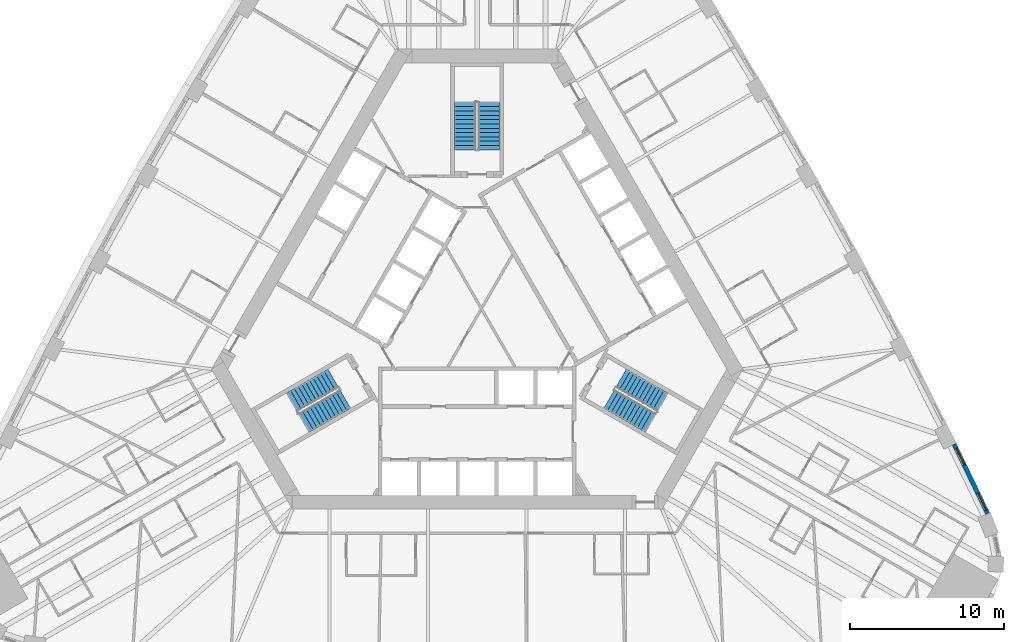
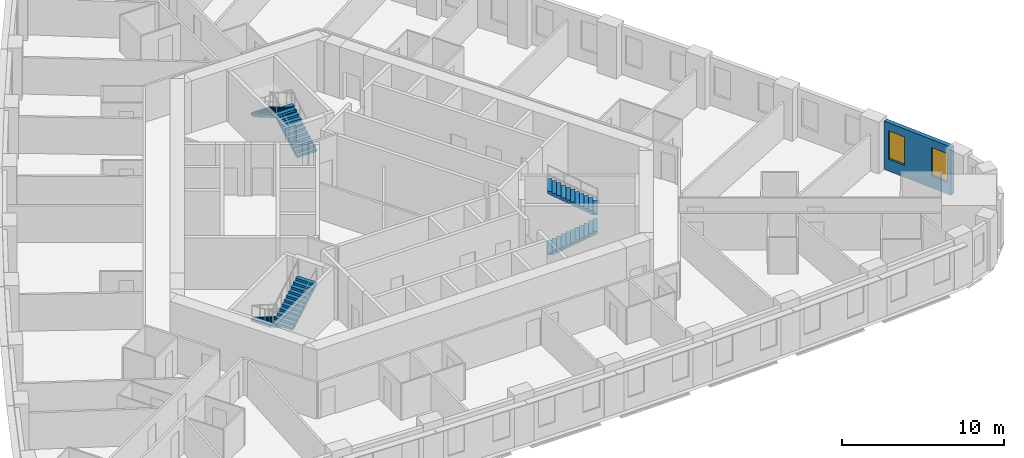
# One storey, part 12 of 13: 6 stair flights, 2 windows, 1 wall, 2 openings, 3 elements without a shape of their own.
"""IFC4 building model written with IfcOpenShell, lengths in metres."""

from ifc_helpers import new_model, si_unit, direction, frame, frame_2d, origin, place, context, subcontext, project, spatial, polyline, rectangle, outline, extrude, material, layer, layer_set, type_object, element, fill, aggregate, save


model = new_model("IFC4")

# Units and contexts
model_context = context("Model", 3, precision=1e-05, world=origin(), true_north=direction((0.0, 1.0)))
body_context = subcontext(model_context, "Body", "Model", "MODEL_VIEW")
ifc_project = project(units=[si_unit("LENGTHUNIT", "METRE"), si_unit("AREAUNIT", "SQUARE_METRE"), si_unit("VOLUMEUNIT", "CUBIC_METRE"), si_unit("PLANEANGLEUNIT", "RADIAN"), si_unit("MASSUNIT", "GRAM", prefix="KILO")], contexts=[model_context])

# Site, building, storey
site_placement = place(None, origin())
site = spatial("IfcSite", under=ifc_project, at=site_placement, CompositionType="ELEMENT")
building_placement = place(site_placement, origin())
building = spatial("IfcBuilding", under=site, at=building_placement, Name="Mestral Congress Tower", CompositionType="ELEMENT")
storey_placement = place(building_placement, frame((0.0, 0.0, 51.0)))
storey = spatial("IfcBuildingStorey", under=building, at=storey_placement, Name="L11", CompositionType="ELEMENT", Elevation=51.0)

# Wall, openings, windows
ifc_material_1 = material(Name="Precast concrete C40/50 with limestone facing", Category="masonry")
ifc_layer = layer(ifc_material_1, 0.2900390625)
ifc_layer_set = layer_set([ifc_layer], Name="Precast concrete C40/50 with limestone facing")
wall_type = type_object("IfcWallType", Name="Facade stone wall 290", PredefinedType="SOLIDWALL", material=ifc_layer_set)
wall_placement = place(storey_placement, frame((33.176025390625, -13.290283203125, 0.0), z_axis=(0.0, 0.0, 1.0), x_axis=(-0.434664499056, 0.900592456808, 0.0)))
wall = element("IfcWall", 1, at=wall_placement, inside=storey, type_object=wall_type, Name="Facade wall F1-00", PredefinedType="SOLIDWALL", context=body_context, shape_type="SweptSolid", body=[
    extrude(rectangle(XDim=5.005615234375, YDim=0.2900390625, at=frame_2d((2.5029296875, 0.0))), origin(), (0.0, 0.0, 1.0), 3.64990234375),
])
opening_1_placement = place(wall_placement, frame((0.265380859375, 0.0, 0.89990234375)))
opening_1 = element("IfcOpeningElement", 2, at=opening_1_placement, cuts=wall, Name="Opening W1", PredefinedType="OPENING", context=body_context, shape_type="SweptSolid", body=[
    extrude(rectangle(XDim=1.199951171875, YDim=2.14990234375, at=frame_2d((0.60009765625, 1.074951171875))), frame((0.0, 0.155029296875, 0.0), z_axis=(0.0, -1.0, 0.0), x_axis=(1.0, 0.0, 0.0)), (0.0, 0.0, 1.0), 0.31005859375),
])
opening_2_placement = place(wall_placement, frame((3.49560546875, 0.0, 0.89990234375)))
opening_2 = element("IfcOpeningElement", 3, at=opening_2_placement, cuts=wall, Name="Opening W1", PredefinedType="OPENING", context=body_context, shape_type="SweptSolid", body=[
    extrude(rectangle(XDim=1.199951171875, YDim=2.14990234375, at=frame_2d((0.60009765625, 1.074951171875))), frame((0.0, 0.155029296875, 0.0), z_axis=(0.0, -1.0, 0.0), x_axis=(1.0, 0.0, 0.0)), (0.0, 0.0, 1.0), 0.31005859375),
])
ifc_material_2 = material(Name="Clear low-emissivity double glazing", Category="glass")
window_type = type_object("IfcWindowType", Name="Facade punched window 1200 x 2150 sill 900", PartitioningType="DOUBLE_PANEL_VERTICAL", PredefinedType="WINDOW", material=ifc_material_2)
window_1_placement = place(opening_1_placement, origin())
window_1 = element("IfcWindow", 4, at=window_1_placement, inside=storey, type_object=window_type, Name="Window F1-00a", OverallHeight=2.14990234375, OverallWidth=1.199951171875, PartitioningType="DOUBLE_PANEL_VERTICAL", PredefinedType="WINDOW", context=body_context, shape_type="SweptSolid", body=[
    extrude(rectangle(XDim=1.199951171875, YDim=2.14990234375, at=frame_2d((0.60009765625, 1.074951171875))), frame((0.0, 0.01513671875, 0.0), z_axis=(0.0, -1.0, 0.0), x_axis=(1.0, 0.0, 0.0)), (0.0, 0.0, 1.0), 0.06005859375),
])
fill(opening_1, window_1)
window_2_placement = place(opening_2_placement, origin())
window_2 = element("IfcWindow", 5, at=window_2_placement, inside=storey, type_object=window_type, Name="Window F1-00b", OverallHeight=2.14990234375, OverallWidth=1.199951171875, PartitioningType="DOUBLE_PANEL_VERTICAL", PredefinedType="WINDOW", context=body_context, shape_type="SweptSolid", body=[
    extrude(rectangle(XDim=1.199951171875, YDim=2.14990234375, at=frame_2d((0.60009765625, 1.074951171875))), frame((0.0, 0.01513671875, 0.0), z_axis=(0.0, -1.0, 0.0), x_axis=(1.0, 0.0, 0.0)), (0.0, 0.0, 1.0), 0.06005859375),
])
fill(opening_2, window_2)

# Stair, stair flights
ifc_material_3 = material(Name="Concrete C60/75", Category="concrete")
stair_type = type_object("IfcStairType", Name="Exit stair 1400", PredefinedType="HALF_TURN_STAIR", material=ifc_material_3)
placement = place(storey_placement, origin())
stair_1 = element("IfcStair", 6, at=placement, inside=storey, type_object=stair_type, Name="L11 ST1", PredefinedType="HALF_TURN_STAIR")
stair_flight_type = type_object("IfcStairFlightType", Name="Exit stair flight 1400", PredefinedType="STRAIGHT", material=ifc_material_3)
stair_flight_1_placement = place(storey_placement, frame((8.575927734375, -5.84619140625, 0.0), z_axis=(0.0, 0.0, 1.0), x_axis=(0.866025403784, -0.5, 0.0)))
stair_flight_1 = element("IfcStairFlight", 7, at=stair_flight_1_placement, type_object=stair_flight_type, Name="ST1 flight 1", NumberOfRisers=12, NumberOfTreads=11, PredefinedType="STRAIGHT", RiserHeight=0.1625, TreadLength=0.28, context=body_context, shape_type="SweptSolid", body=[
    extrude(outline(polyline([(0.0, 0.0), (0.0, 0.16259765625), (0.280029296875, 0.16259765625), (0.280029296875, 0.324951171875), (0.56005859375, 0.324951171875), (0.56005859375, 0.487548828125), (0.840087890625, 0.487548828125), (0.840087890625, 0.64990234375), (1.1201171875, 0.64990234375), (1.1201171875, 0.8125), (1.39990234375, 0.8125), (1.39990234375, 0.97509765625), (1.679931640625, 0.97509765625), (1.679931640625, 1.137451171875), (1.9599609375, 1.137451171875), (1.9599609375, 1.300048828125), (2.239990234375, 1.300048828125), (2.239990234375, 1.46240234375), (2.52001953125, 1.46240234375), (2.52001953125, 1.625), (2.800048828125, 1.625), (2.800048828125, 1.78759765625), (3.080078125, 1.78759765625), (3.080078125, 1.949951171875), (3.080078125, 1.6142578125), (0.298583984375, 0.0), (0.0, 0.0)])), frame((0.0, 0.699951171875, 0.0), z_axis=(0.0, -1.0, 0.0), x_axis=(1.0, 0.0, 0.0)), (0.0, 0.0, 1.0), 1.39990234375),
])
stair_flight_2_placement = place(storey_placement, frame((12.018310546875, -6.0439453125, 1.949951171875), z_axis=(0.0, 0.0, 1.0), x_axis=(-0.866025403784, 0.5, 0.0)))
stair_flight_2 = element("IfcStairFlight", 8, at=stair_flight_2_placement, type_object=stair_flight_type, Name="ST1 flight 2", NumberOfRisers=12, NumberOfTreads=11, PredefinedType="STRAIGHT", RiserHeight=0.1625, TreadLength=0.28, context=body_context, shape_type="SweptSolid", body=[
    extrude(outline(polyline([(0.0, 0.0), (0.0, 0.16259765625), (0.280029296875, 0.16259765625), (0.280029296875, 0.324951171875), (0.56005859375, 0.324951171875), (0.56005859375, 0.487548828125), (0.840087890625, 0.487548828125), (0.840087890625, 0.64990234375), (1.1201171875, 0.64990234375), (1.1201171875, 0.8125), (1.39990234375, 0.8125), (1.39990234375, 0.97509765625), (1.679931640625, 0.97509765625), (1.679931640625, 1.137451171875), (1.9599609375, 1.137451171875), (1.9599609375, 1.300048828125), (2.239990234375, 1.300048828125), (2.239990234375, 1.46240234375), (2.52001953125, 1.46240234375), (2.52001953125, 1.625), (2.800048828125, 1.625), (2.800048828125, 1.78759765625), (3.080078125, 1.78759765625), (3.080078125, 1.949951171875), (3.080078125, 1.6142578125), (0.298583984375, 0.0), (0.0, 0.0)])), frame((0.0, 0.699951171875, 0.0), z_axis=(0.0, -1.0, 0.0), x_axis=(1.0, 0.0, 0.0)), (0.0, 0.0, 1.0), 1.39990234375),
])
aggregate(stair_1, [stair_flight_1, stair_flight_2])

stair_2 = element("IfcStair", 9, at=placement, inside=storey, type_object=stair_type, Name="L11 ST2", PredefinedType="HALF_TURN_STAIR")
stair_flight_3_placement = place(storey_placement, frame((0.77490234375, 10.35009765625, 0.0), z_axis=(0.0, 0.0, 1.0), x_axis=(0.0, 1.0, 0.0)))
stair_flight_3 = element("IfcStairFlight", 10, at=stair_flight_3_placement, type_object=stair_flight_type, Name="ST2 flight 1", NumberOfRisers=12, NumberOfTreads=11, PredefinedType="STRAIGHT", RiserHeight=0.1625, TreadLength=0.28, context=body_context, shape_type="SweptSolid", body=[
    extrude(outline(polyline([(0.0, 0.0), (0.0, 0.16259765625), (0.280029296875, 0.16259765625), (0.280029296875, 0.324951171875), (0.56005859375, 0.324951171875), (0.56005859375, 0.487548828125), (0.840087890625, 0.487548828125), (0.840087890625, 0.64990234375), (1.1201171875, 0.64990234375), (1.1201171875, 0.8125), (1.39990234375, 0.8125), (1.39990234375, 0.97509765625), (1.679931640625, 0.97509765625), (1.679931640625, 1.137451171875), (1.9599609375, 1.137451171875), (1.9599609375, 1.300048828125), (2.239990234375, 1.300048828125), (2.239990234375, 1.46240234375), (2.52001953125, 1.46240234375), (2.52001953125, 1.625), (2.800048828125, 1.625), (2.800048828125, 1.78759765625), (3.080078125, 1.78759765625), (3.080078125, 1.949951171875), (3.080078125, 1.6142578125), (0.298583984375, 0.0), (0.0, 0.0)])), frame((0.0, 0.699951171875, 0.0), z_axis=(0.0, -1.0, 0.0), x_axis=(1.0, 0.0, 0.0)), (0.0, 0.0, 1.0), 1.39990234375),
])
stair_flight_4_placement = place(storey_placement, frame((-0.77490234375, 13.429931640625, 1.949951171875), z_axis=(0.0, 0.0, 1.0), x_axis=(0.0, -1.0, 0.0)))
stair_flight_4 = element("IfcStairFlight", 11, at=stair_flight_4_placement, type_object=stair_flight_type, Name="ST2 flight 2", NumberOfRisers=12, NumberOfTreads=11, PredefinedType="STRAIGHT", RiserHeight=0.1625, TreadLength=0.28, context=body_context, shape_type="SweptSolid", body=[
    extrude(outline(polyline([(0.0, 0.0), (0.0, 0.16259765625), (0.280029296875, 0.16259765625), (0.280029296875, 0.324951171875), (0.56005859375, 0.324951171875), (0.56005859375, 0.487548828125), (0.840087890625, 0.487548828125), (0.840087890625, 0.64990234375), (1.1201171875, 0.64990234375), (1.1201171875, 0.8125), (1.39990234375, 0.8125), (1.39990234375, 0.97509765625), (1.679931640625, 0.97509765625), (1.679931640625, 1.137451171875), (1.9599609375, 1.137451171875), (1.9599609375, 1.300048828125), (2.239990234375, 1.300048828125), (2.239990234375, 1.46240234375), (2.52001953125, 1.46240234375), (2.52001953125, 1.625), (2.800048828125, 1.625), (2.800048828125, 1.78759765625), (3.080078125, 1.78759765625), (3.080078125, 1.949951171875), (3.080078125, 1.6142578125), (0.298583984375, 0.0), (0.0, 0.0)])), frame((0.0, 0.699951171875, 0.0), z_axis=(0.0, -1.0, 0.0), x_axis=(1.0, 0.0, 0.0)), (0.0, 0.0, 1.0), 1.39990234375),
])
aggregate(stair_2, [stair_flight_3, stair_flight_4])

stair_3 = element("IfcStair", 12, at=placement, inside=storey, type_object=stair_type, Name="L11 ST3", PredefinedType="HALF_TURN_STAIR")
stair_flight_5_placement = place(storey_placement, frame((-9.350830078125, -4.50390625, 0.0), z_axis=(0.0, 0.0, 1.0), x_axis=(-0.866025403784, -0.5, 0.0)))
stair_flight_5 = element("IfcStairFlight", 13, at=stair_flight_5_placement, type_object=stair_flight_type, Name="ST3 flight 1", NumberOfRisers=12, NumberOfTreads=11, PredefinedType="STRAIGHT", RiserHeight=0.1625, TreadLength=0.28, context=body_context, shape_type="SweptSolid", body=[
    extrude(outline(polyline([(0.0, 0.0), (0.0, 0.16259765625), (0.280029296875, 0.16259765625), (0.280029296875, 0.324951171875), (0.56005859375, 0.324951171875), (0.56005859375, 0.487548828125), (0.840087890625, 0.487548828125), (0.840087890625, 0.64990234375), (1.1201171875, 0.64990234375), (1.1201171875, 0.8125), (1.39990234375, 0.8125), (1.39990234375, 0.97509765625), (1.679931640625, 0.97509765625), (1.679931640625, 1.137451171875), (1.9599609375, 1.137451171875), (1.9599609375, 1.300048828125), (2.239990234375, 1.300048828125), (2.239990234375, 1.46240234375), (2.52001953125, 1.46240234375), (2.52001953125, 1.625), (2.800048828125, 1.625), (2.800048828125, 1.78759765625), (3.080078125, 1.78759765625), (3.080078125, 1.949951171875), (3.080078125, 1.6142578125), (0.298583984375, 0.0), (0.0, 0.0)])), frame((0.0, 0.699951171875, 0.0), z_axis=(0.0, -1.0, 0.0), x_axis=(1.0, 0.0, 0.0)), (0.0, 0.0, 1.0), 1.39990234375),
])
stair_flight_6_placement = place(storey_placement, frame((-11.2431640625, -7.38623046875, 1.949951171875), z_axis=(0.0, 0.0, 1.0), x_axis=(0.866025403784, 0.5, 0.0)))
stair_flight_6 = element("IfcStairFlight", 14, at=stair_flight_6_placement, type_object=stair_flight_type, Name="ST3 flight 2", NumberOfRisers=12, NumberOfTreads=11, PredefinedType="STRAIGHT", RiserHeight=0.1625, TreadLength=0.28, context=body_context, shape_type="SweptSolid", body=[
    extrude(outline(polyline([(0.0, 0.0), (0.0, 0.16259765625), (0.280029296875, 0.16259765625), (0.280029296875, 0.324951171875), (0.56005859375, 0.324951171875), (0.56005859375, 0.487548828125), (0.840087890625, 0.487548828125), (0.840087890625, 0.64990234375), (1.1201171875, 0.64990234375), (1.1201171875, 0.8125), (1.39990234375, 0.8125), (1.39990234375, 0.97509765625), (1.679931640625, 0.97509765625), (1.679931640625, 1.137451171875), (1.9599609375, 1.137451171875), (1.9599609375, 1.300048828125), (2.239990234375, 1.300048828125), (2.239990234375, 1.46240234375), (2.52001953125, 1.46240234375), (2.52001953125, 1.625), (2.800048828125, 1.625), (2.800048828125, 1.78759765625), (3.080078125, 1.78759765625), (3.080078125, 1.949951171875), (3.080078125, 1.6142578125), (0.298583984375, 0.0), (0.0, 0.0)])), frame((0.0, 0.699951171875, 0.0), z_axis=(0.0, -1.0, 0.0), x_axis=(1.0, 0.0, 0.0)), (0.0, 0.0, 1.0), 1.39990234375),
])
aggregate(stair_3, [stair_flight_5, stair_flight_6])

save(model, "model.ifc")
